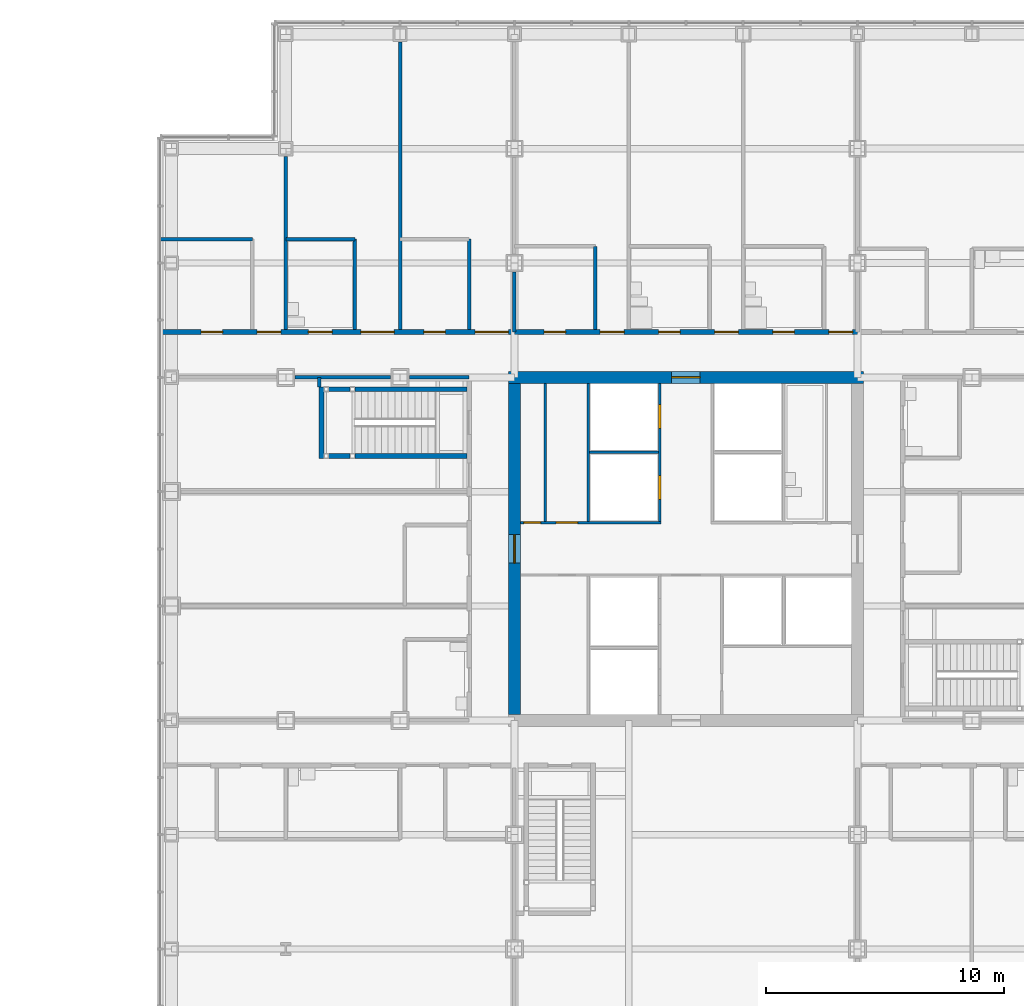
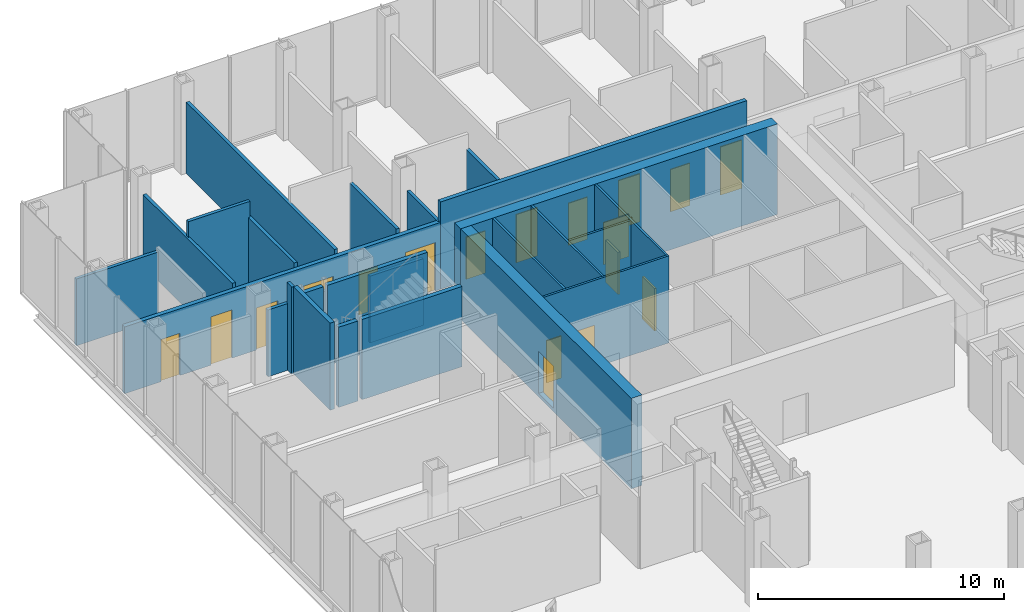
# One storey, part 21 of 25: 25 walls, 18 doors, 18 openings.
"""IFC4 building model written with IfcOpenShell, lengths in metres."""

from ifc_helpers import new_model, si_unit, direction, frame, frame_2d, origin, place, context, subcontext, project, spatial, rectangle, extrude, material, layer, layer_set, type_object, element, fill, save


model = new_model("IFC4")

# Units and contexts
model_context = context("Model", 3, precision=1e-05, world=origin(), true_north=direction((0.0, 1.0)))
body_context = subcontext(model_context, "Body", "Model", "MODEL_VIEW")
ifc_project = project(units=[si_unit("LENGTHUNIT", "METRE"), si_unit("AREAUNIT", "SQUARE_METRE"), si_unit("VOLUMEUNIT", "CUBIC_METRE"), si_unit("PLANEANGLEUNIT", "RADIAN"), si_unit("MASSUNIT", "GRAM", prefix="KILO")], contexts=[model_context])

# Site, building, storey
site_placement = place(None, origin())
site = spatial("IfcSite", under=ifc_project, at=site_placement, CompositionType="ELEMENT")
building_placement = place(site_placement, origin())
building = spatial("IfcBuilding", under=site, at=building_placement, Name="Kvirike Care Tower", CompositionType="ELEMENT")
storey_placement = place(building_placement, frame((0.0, 0.0, 9.0)))
storey = spatial("IfcBuildingStorey", under=building, at=storey_placement, Name="L02", CompositionType="ELEMENT", Elevation=9.0)

# Walls
ifc_material_1 = material(Name="Plasterboard partition", Category="gypsum")
ifc_layer_1 = layer(ifc_material_1, 0.14990234375)
ifc_layer_set_1 = layer_set([ifc_layer_1], Name="CLINIC PARTITION 150")
wall_type_1 = type_object("IfcWallType", Name="CLINIC PARTITION 150", PredefinedType="PARTITIONING", material=ifc_layer_set_1)
wall_1_placement = place(storey_placement, frame((6.199951171875, 43.199951171875, 0.0), z_axis=(0.0, 0.0, 1.0), x_axis=(0.0, -1.0, 0.0)))
element("IfcWall", 1, at=wall_1_placement, inside=storey, type_object=wall_type_1, Name="Clinic Partition 150 L02", PredefinedType="PARTITIONING", context=body_context, shape_type="SweptSolid", body=[
    extrude(rectangle(XDim=0.39990234375, YDim=0.14990234375, at=frame_2d((0.199951171875, 0.0))), origin(), (0.0, 0.0, 1.0), 4.330078125),
])
for number, where, z_axis, x_axis, name in (
    (2, (12.5, 49.0, 0.0), (0.0, 0.0, 1.0), (0.0, -1.0, 0.0), "Clinic Partition 150 L02"),
    (3, (7.699951171875, 49.0, 0.0), (0.0, 0.0, 1.0), (0.0, -1.0, 0.0), "Clinic Partition 150 L02"),
):
    element("IfcWall", number, at=place(storey_placement, frame(where, z_axis=z_axis, x_axis=x_axis)), inside=storey, type_object=wall_type_1, Name=name, PredefinedType="PARTITIONING", context=body_context, shape_type="SweptSolid", body=[
        extrude(rectangle(XDim=3.800048828125, YDim=0.14990234375, at=frame_2d((1.89990234375, 0.0))), origin(), (0.0, 0.0, 1.0), 3.550048828125),
    ])
wall_2_placement = place(storey_placement, frame((7.699951171875, 49.0, 0.0), z_axis=(0.0, 0.0, 1.0), x_axis=(-1.0, 0.0, 0.0)))
element("IfcWall", 4, at=wall_2_placement, inside=storey, type_object=wall_type_1, Name="Clinic Partition 150 L02", PredefinedType="PARTITIONING", context=body_context, shape_type="SweptSolid", body=[
    extrude(rectangle(XDim=2.89990234375, YDim=0.14990234375, at=frame_2d((1.449951171875, 0.0))), origin(), (0.0, 0.0, 1.0), 4.330078125),
])
wall_3_placement = place(storey_placement, frame((3.39990234375, 49.0, 0.0), z_axis=(0.0, 0.0, 1.0), x_axis=(-1.0, 0.0, 0.0)))
element("IfcWall", 5, at=wall_3_placement, inside=storey, type_object=wall_type_1, Name="Clinic Partition 150 L02", PredefinedType="PARTITIONING", context=body_context, shape_type="SweptSolid", body=[
    extrude(rectangle(XDim=3.85498046875, YDim=0.14990234375, at=frame_2d((1.927490234375, 0.0))), origin(), (0.0, 0.0, 1.0), 3.320068359375),
])
wall_4_placement = place(storey_placement, frame((9.60009765625, 57.280029296875, 0.0), z_axis=(0.0, 0.0, 1.0), x_axis=(0.0, -1.0, 0.0)))
element("IfcWall", 6, at=wall_4_placement, inside=storey, type_object=wall_type_1, Name="Clinic Partition 150 L02", PredefinedType="PARTITIONING", context=body_context, shape_type="SweptSolid", body=[
    extrude(rectangle(XDim=12.080078125, YDim=0.14990234375, at=frame_2d((6.0400390625, 0.0))), origin(), (0.0, 0.0, 1.0), 3.550048828125),
])
wall_5_placement = place(storey_placement, frame((4.800048828125, 52.47998046875, 0.0), z_axis=(0.0, 0.0, 1.0), x_axis=(0.0, -1.0, 0.0)))
element("IfcWall", 7, at=wall_5_placement, inside=storey, type_object=wall_type_1, Name="Clinic Partition 150 L02", PredefinedType="PARTITIONING", context=body_context, shape_type="SweptSolid", body=[
    extrude(rectangle(XDim=7.280029296875, YDim=0.14990234375, at=frame_2d((3.64013671875, 0.0))), origin(), (0.0, 0.0, 1.0), 3.550048828125),
])
wall_6_placement = place(storey_placement, frame((17.800048828125, 48.699951171875, 0.0), z_axis=(0.0, 0.0, 1.0), x_axis=(0.0, -1.0, 0.0)))
element("IfcWall", 8, at=wall_6_placement, inside=storey, type_object=wall_type_1, Name="Clinic Partition 150 L02", PredefinedType="PARTITIONING", context=body_context, shape_type="SweptSolid", body=[
    extrude(rectangle(XDim=3.5, YDim=0.14990234375, at=frame_2d((1.75, 0.0))), origin(), (0.0, 0.0, 1.0), 3.550048828125),
])
wall_7_placement = place(storey_placement, frame((12.5, 43.199951171875, 0.0), z_axis=(0.0, 0.0, 1.0), x_axis=(-1.0, 0.0, 0.0)))
element("IfcWall", 9, at=wall_7_placement, inside=storey, type_object=wall_type_1, Name="Clinic Partition 150 L02", PredefinedType="PARTITIONING", context=body_context, shape_type="SweptSolid", body=[
    extrude(rectangle(XDim=2.5048828125, YDim=0.14990234375, at=frame_2d((1.25244140625, 0.0))), origin(), (0.0, 0.0, 1.0), 3.320068359375),
])
wall_8_placement = place(storey_placement, frame((9.205078125, 43.199951171875, 0.0), z_axis=(0.0, 0.0, 1.0), x_axis=(-1.0, 0.0, 0.0)))
element("IfcWall", 10, at=wall_8_placement, inside=storey, type_object=wall_type_1, Name="Clinic Partition 150 L02", PredefinedType="PARTITIONING", context=body_context, shape_type="SweptSolid", body=[
    extrude(rectangle(XDim=4.010009765625, YDim=0.14990234375, at=frame_2d((2.0048828125, 0.0))), origin(), (0.0, 0.0, 1.0), 3.320068359375),
])
wall_9_placement = place(storey_placement, frame((14.39990234375, 45.10009765625, 0.0), z_axis=(0.0, 0.0, 1.0), x_axis=(0.0, 1.0, 0.0)))
element("IfcWall", 11, at=wall_9_placement, inside=storey, type_object=wall_type_1, Name="Clinic Partition 150 L02", PredefinedType="PARTITIONING", context=body_context, shape_type="SweptSolid", body=[
    extrude(rectangle(XDim=2.52978515625, YDim=0.14990234375, at=frame_2d((1.264892578125, 0.0))), origin(), (0.0, 0.0, 1.0), 3.320068359375),
])

# Wall, opening, door
ifc_material_2 = material(Name="Concrete C60/75", Category="concrete")
ifc_layer_2 = layer(ifc_material_2, 0.5)
ifc_layer_set_2 = layer_set([ifc_layer_2], Name="CORE WALL 500 C60-75")
wall_type_2 = type_object("IfcWallType", Name="CORE WALL 500 C60-75", PredefinedType="SHEAR", material=ifc_layer_set_2)
wall_10_placement = place(storey_placement, frame((29.050048828125, 43.199951171875, -0.169921875), z_axis=(0.0, 0.0, 1.0), x_axis=(-1.0, 0.0, 0.0)))
wall_10 = element("IfcWall", 12, at=wall_10_placement, inside=storey, type_object=wall_type_2, Name="Core wall N L02", PredefinedType="SHEAR", context=body_context, shape_type="SweptSolid", body=[
    extrude(rectangle(XDim=14.900146484375, YDim=0.5, at=frame_2d((7.4501953125, 0.0))), origin(), (0.0, 0.0, 1.0), 4.5),
])
opening_1_placement = place(wall_10_placement, frame((6.85009765625, 0.0, 0.169921875)))
opening_1 = element("IfcOpeningElement", 13, at=opening_1_placement, cuts=wall_10, Name="Opening 02-060", PredefinedType="OPENING", context=body_context, shape_type="SweptSolid", body=[
    extrude(rectangle(XDim=1.199951171875, YDim=2.10009765625, at=frame_2d((0.60009765625, 1.050048828125))), frame((0.0, 0.260498046875, 0.0), z_axis=(0.0, -1.0, 0.0), x_axis=(1.0, 0.0, 0.0)), (0.0, 0.0, 1.0), 0.52099609375),
])
ifc_material_3 = material(Name="Timber door set", Category="wood")
door_type_1 = type_object("IfcDoorType", Name="CORE DOOR 1200", OperationType="SINGLE_SWING_LEFT", PredefinedType="DOOR", material=ifc_material_3)
door_1_placement = place(opening_1_placement, origin())
door_1 = element("IfcDoor", 14, at=door_1_placement, inside=storey, type_object=door_type_1, Name="Core door N L02", OperationType="SINGLE_SWING_LEFT", OverallHeight=2.10009765625, OverallWidth=1.199951171875, PredefinedType="DOOR", context=body_context, shape_type="SweptSolid", body=[
    extrude(rectangle(XDim=1.199951171875, YDim=2.10009765625, at=frame_2d((0.60009765625, 1.050048828125))), frame((0.0, 0.02685546875, 0.0), z_axis=(0.0, -1.0, 0.0), x_axis=(1.0, 0.0, 0.0)), (0.0, 0.0, 1.0), 0.053955078125),
])
fill(opening_1, door_1)

wall_11_placement = place(storey_placement, frame((14.39990234375, 42.949951171875, -0.169921875), z_axis=(0.0, 0.0, 1.0), x_axis=(0.0, -1.0, 0.0)))
wall_11 = element("IfcWall", 15, at=wall_11_placement, inside=storey, type_object=wall_type_2, Name="Core wall W L02", PredefinedType="SHEAR", context=body_context, shape_type="SweptSolid", body=[
    extrude(rectangle(XDim=13.89990234375, YDim=0.5, at=frame_2d((6.949951171875, 0.0))), origin(), (0.0, 0.0, 1.0), 4.5),
])
opening_2_placement = place(wall_11_placement, frame((6.35009765625, 0.0, 0.169921875)))
opening_2 = element("IfcOpeningElement", 16, at=opening_2_placement, cuts=wall_11, Name="Opening 02-058", PredefinedType="OPENING", context=body_context, shape_type="SweptSolid", body=[
    extrude(rectangle(XDim=1.199951171875, YDim=2.10009765625, at=frame_2d((0.60009765625, 1.050048828125))), frame((0.0, 0.260498046875, 0.0), z_axis=(0.0, -1.0, 0.0), x_axis=(1.0, 0.0, 0.0)), (0.0, 0.0, 1.0), 0.52099609375),
])
door_2_placement = place(opening_2_placement, origin())
door_2 = element("IfcDoor", 17, at=door_2_placement, inside=storey, type_object=door_type_1, Name="Core door W L02", OperationType="SINGLE_SWING_LEFT", OverallHeight=2.10009765625, OverallWidth=1.199951171875, PredefinedType="DOOR", context=body_context, shape_type="SweptSolid", body=[
    extrude(rectangle(XDim=1.199951171875, YDim=2.10009765625, at=frame_2d((0.60009765625, 1.050048828125))), frame((0.0, 0.02685546875, 0.0), z_axis=(0.0, -1.0, 0.0), x_axis=(1.0, 0.0, 0.0)), (0.0, 0.0, 1.0), 0.053955078125),
])
fill(opening_2, door_2)

# Wall, openings, doors
ifc_material_4 = material(Name="Plasterboard corridor wall", Category="gypsum")
ifc_layer_3 = layer(ifc_material_4, 0.199951171875)
ifc_layer_set_3 = layer_set([ifc_layer_3], Name="CORRIDOR WALL 200")
wall_type_3 = type_object("IfcWallType", Name="CORRIDOR WALL 200", PredefinedType="PARTITIONING", material=ifc_layer_set_3)
wall_12_placement = place(storey_placement, frame((14.39990234375, 45.10009765625, 0.0), z_axis=(0.0, 0.0, 1.0), x_axis=(-1.0, 0.0, 0.0)))
wall_12 = element("IfcWall", 18, at=wall_12_placement, inside=storey, type_object=wall_type_3, Name="Corridor Wall 200 L02", PredefinedType="PARTITIONING", context=body_context, shape_type="SweptSolid", body=[
    extrude(rectangle(XDim=14.85498046875, YDim=0.199951171875, at=frame_2d((7.427490234375, 0.0))), origin(), (0.0, 0.0, 1.0), 3.320068359375),
])
opening_3_placement = place(wall_12_placement, frame((0.25, 0.0, 0.0)))
opening_3 = element("IfcOpeningElement", 19, at=opening_3_placement, cuts=wall_12, Name="Opening 02-012", PredefinedType="OPENING", context=body_context, shape_type="SweptSolid", body=[
    extrude(rectangle(XDim=1.39990234375, YDim=2.39990234375, at=frame_2d((0.699951171875, 1.199951171875))), frame((0.0, 0.110595703125, 0.0), z_axis=(0.0, -1.0, 0.0), x_axis=(1.0, 0.0, 0.0)), (0.0, 0.0, 1.0), 0.220947265625),
])
opening_4_placement = place(wall_12_placement, frame((5.050048828125, 0.0, 0.0)))
opening_4 = element("IfcOpeningElement", 20, at=opening_4_placement, cuts=wall_12, Name="Opening 02-013", PredefinedType="OPENING", context=body_context, shape_type="SweptSolid", body=[
    extrude(rectangle(XDim=1.39990234375, YDim=2.39990234375, at=frame_2d((0.699951171875, 1.199951171875))), frame((0.0, 0.110595703125, 0.0), z_axis=(0.0, -1.0, 0.0), x_axis=(1.0, 0.0, 0.0)), (0.0, 0.0, 1.0), 0.220947265625),
])
opening_5_placement = place(wall_12_placement, frame((9.800048828125, 0.0, 0.0)))
opening_5 = element("IfcOpeningElement", 21, at=opening_5_placement, cuts=wall_12, Name="Opening 02-014", PredefinedType="OPENING", context=body_context, shape_type="SweptSolid", body=[
    extrude(rectangle(XDim=1.0, YDim=2.39990234375, at=frame_2d((0.5, 1.199951171875))), frame((0.0, 0.110595703125, 0.0), z_axis=(0.0, -1.0, 0.0), x_axis=(1.0, 0.0, 0.0)), (0.0, 0.0, 1.0), 0.220947265625),
])
opening_6_placement = place(wall_12_placement, frame((2.89990234375, 0.0, 0.0)))
opening_6 = element("IfcOpeningElement", 22, at=opening_6_placement, cuts=wall_12, Name="Opening 02-015", PredefinedType="OPENING", context=body_context, shape_type="SweptSolid", body=[
    extrude(rectangle(XDim=0.89990234375, YDim=2.10009765625, at=frame_2d((0.449951171875, 1.050048828125))), frame((0.0, 0.110595703125, 0.0), z_axis=(0.0, -1.0, 0.0), x_axis=(1.0, 0.0, 0.0)), (0.0, 0.0, 1.0), 0.220947265625),
])
opening_7_placement = place(wall_12_placement, frame((7.64990234375, 0.0, 0.0)))
opening_7 = element("IfcOpeningElement", 23, at=opening_7_placement, cuts=wall_12, Name="Opening 02-016", PredefinedType="OPENING", context=body_context, shape_type="SweptSolid", body=[
    extrude(rectangle(XDim=1.0, YDim=2.10009765625, at=frame_2d((0.5, 1.050048828125))), frame((0.0, 0.110595703125, 0.0), z_axis=(0.0, -1.0, 0.0), x_axis=(1.0, 0.0, 0.0)), (0.0, 0.0, 1.0), 0.220947265625),
])
opening_8_placement = place(wall_12_placement, frame((12.25, 0.0, 0.0)))
opening_8 = element("IfcOpeningElement", 24, at=opening_8_placement, cuts=wall_12, Name="Opening 02-017", PredefinedType="OPENING", context=body_context, shape_type="SweptSolid", body=[
    extrude(rectangle(XDim=0.89990234375, YDim=2.10009765625, at=frame_2d((0.449951171875, 1.050048828125))), frame((0.0, 0.110595703125, 0.0), z_axis=(0.0, -1.0, 0.0), x_axis=(1.0, 0.0, 0.0)), (0.0, 0.0, 1.0), 0.220947265625),
])
ifc_material_5 = material(Name="Timber door set", Category="wood")
door_type_2 = type_object("IfcDoorType", Name="CONSULTING ROOM DOOR 1000", OperationType="SINGLE_SWING_LEFT", PredefinedType="DOOR", material=ifc_material_5)
door_3_placement = place(opening_5_placement, frame((1.0, 0.0, 0.0), z_axis=(0.0, 0.0, 1.0), x_axis=(-1.0, 0.0, 0.0)))
door_3 = element("IfcDoor", 25, at=door_3_placement, inside=storey, type_object=door_type_2, Name="Massage room door", OperationType="SINGLE_SWING_RIGHT", OverallHeight=2.39990234375, OverallWidth=1.0, PredefinedType="DOOR", context=body_context, shape_type="SweptSolid", body=[
    extrude(rectangle(XDim=1.0, YDim=2.39990234375, at=frame_2d((0.5, 1.199951171875))), frame((0.0, 0.02685546875, 0.0), z_axis=(0.0, -1.0, 0.0), x_axis=(1.0, 0.0, 0.0)), (0.0, 0.0, 1.0), 0.053955078125),
])
fill(opening_5, door_3)
ifc_material_6 = material(Name="Timber door set", Category="wood")
door_type_3 = type_object("IfcDoorType", Name="STORE DOOR 900", OperationType="SINGLE_SWING_LEFT", PredefinedType="DOOR", material=ifc_material_6)
door_4_placement = place(opening_6_placement, frame((0.89990234375, 0.0, 0.0), z_axis=(0.0, 0.0, 1.0), x_axis=(-1.0, 0.0, 0.0)))
door_4 = element("IfcDoor", 26, at=door_4_placement, inside=storey, type_object=door_type_3, Name="Store door", OperationType="SINGLE_SWING_RIGHT", OverallHeight=2.10009765625, OverallWidth=0.89990234375, PredefinedType="DOOR", context=body_context, shape_type="SweptSolid", body=[
    extrude(rectangle(XDim=0.89990234375, YDim=2.10009765625, at=frame_2d((0.449951171875, 1.050048828125))), frame((0.0, 0.02685546875, 0.0), z_axis=(0.0, -1.0, 0.0), x_axis=(1.0, 0.0, 0.0)), (0.0, 0.0, 1.0), 0.053955078125),
])
fill(opening_6, door_4)
door_5_placement = place(opening_8_placement, frame((0.89990234375, 0.0, 0.0), z_axis=(0.0, 0.0, 1.0), x_axis=(-1.0, 0.0, 0.0)))
door_5 = element("IfcDoor", 27, at=door_5_placement, inside=storey, type_object=door_type_3, Name="Store door", OperationType="SINGLE_SWING_LEFT", OverallHeight=2.10009765625, OverallWidth=0.89990234375, PredefinedType="DOOR", context=body_context, shape_type="SweptSolid", body=[
    extrude(rectangle(XDim=0.89990234375, YDim=2.10009765625, at=frame_2d((0.449951171875, 1.050048828125))), frame((0.0, 0.02685546875, 0.0), z_axis=(0.0, -1.0, 0.0), x_axis=(1.0, 0.0, 0.0)), (0.0, 0.0, 1.0), 0.053955078125),
])
fill(opening_8, door_5)
ifc_material_7 = material(Name="Timber door set", Category="wood")
door_type_4 = type_object("IfcDoorType", Name="TREATMENT ROOM DOOR 1400", OperationType="DOUBLE_DOOR_SINGLE_SWING", PredefinedType="DOOR", material=ifc_material_7)
door_6_placement = place(opening_3_placement, frame((1.39990234375, 0.0, 0.0), z_axis=(0.0, 0.0, 1.0), x_axis=(-1.0, 0.0, 0.0)))
door_6 = element("IfcDoor", 28, at=door_6_placement, inside=storey, type_object=door_type_4, Name="Treatment room door", OperationType="DOUBLE_DOOR_SINGLE_SWING", OverallHeight=2.39990234375, OverallWidth=1.39990234375, PredefinedType="DOOR", context=body_context, shape_type="SweptSolid", body=[
    extrude(rectangle(XDim=1.39990234375, YDim=2.39990234375, at=frame_2d((0.699951171875, 1.199951171875))), frame((0.0, 0.02685546875, 0.0), z_axis=(0.0, -1.0, 0.0), x_axis=(1.0, 0.0, 0.0)), (0.0, 0.0, 1.0), 0.053955078125),
])
fill(opening_3, door_6)
door_7_placement = place(opening_4_placement, frame((1.39990234375, 0.0, 0.0), z_axis=(0.0, 0.0, 1.0), x_axis=(-1.0, 0.0, 0.0)))
door_7 = element("IfcDoor", 29, at=door_7_placement, inside=storey, type_object=door_type_4, Name="Treatment room door", OperationType="DOUBLE_DOOR_SINGLE_SWING", OverallHeight=2.39990234375, OverallWidth=1.39990234375, PredefinedType="DOOR", context=body_context, shape_type="SweptSolid", body=[
    extrude(rectangle(XDim=1.39990234375, YDim=2.39990234375, at=frame_2d((0.699951171875, 1.199951171875))), frame((0.0, 0.02685546875, 0.0), z_axis=(0.0, -1.0, 0.0), x_axis=(1.0, 0.0, 0.0)), (0.0, 0.0, 1.0), 0.053955078125),
])
fill(opening_4, door_7)
ifc_material_8 = material(Name="Timber door set", Category="wood")
door_type_5 = type_object("IfcDoorType", Name="WC DOOR 1000", OperationType="SINGLE_SWING_LEFT", PredefinedType="DOOR", material=ifc_material_8)
door_8_placement = place(opening_7_placement, frame((1.0, 0.0, 0.0), z_axis=(0.0, 0.0, 1.0), x_axis=(-1.0, 0.0, 0.0)))
door_8 = element("IfcDoor", 30, at=door_8_placement, inside=storey, type_object=door_type_5, Name="Staff WC door", OperationType="SINGLE_SWING_LEFT", OverallHeight=2.10009765625, OverallWidth=1.0, PredefinedType="DOOR", context=body_context, shape_type="SweptSolid", body=[
    extrude(rectangle(XDim=1.0, YDim=2.10009765625, at=frame_2d((0.5, 1.050048828125))), frame((0.0, 0.02685546875, 0.0), z_axis=(0.0, -1.0, 0.0), x_axis=(1.0, 0.0, 0.0)), (0.0, 0.0, 1.0), 0.053955078125),
])
fill(opening_7, door_8)

wall_13_placement = place(storey_placement, frame((28.800048828125, 45.10009765625, 0.0), z_axis=(0.0, 0.0, 1.0), x_axis=(-1.0, 0.0, 0.0)))
wall_13 = element("IfcWall", 31, at=wall_13_placement, inside=storey, type_object=wall_type_3, Name="Corridor Wall 200 L02", PredefinedType="PARTITIONING", context=body_context, shape_type="SweptSolid", body=[
    extrude(rectangle(XDim=14.400146484375, YDim=0.199951171875, at=frame_2d((7.2001953125, 0.0))), origin(), (0.0, 0.0, 1.0), 4.330078125),
])
opening_9_placement = place(wall_13_placement, frame((0.199951171875, 0.0, 0.0)))
opening_9 = element("IfcOpeningElement", 32, at=opening_9_placement, cuts=wall_13, Name="Opening 02-019", PredefinedType="OPENING", context=body_context, shape_type="SweptSolid", body=[
    extrude(rectangle(XDim=1.0, YDim=2.39990234375, at=frame_2d((0.5, 1.199951171875))), frame((0.0, 0.110595703125, 0.0), z_axis=(0.0, -1.0, 0.0), x_axis=(1.0, 0.0, 0.0)), (0.0, 0.0, 1.0), 0.220947265625),
])
opening_10_placement = place(wall_13_placement, frame((5.0, 0.0, 0.0)))
opening_10 = element("IfcOpeningElement", 33, at=opening_10_placement, cuts=wall_13, Name="Opening 02-020", PredefinedType="OPENING", context=body_context, shape_type="SweptSolid", body=[
    extrude(rectangle(XDim=1.0, YDim=2.39990234375, at=frame_2d((0.5, 1.199951171875))), frame((0.0, 0.110595703125, 0.0), z_axis=(0.0, -1.0, 0.0), x_axis=(1.0, 0.0, 0.0)), (0.0, 0.0, 1.0), 0.220947265625),
])
opening_11_placement = place(wall_13_placement, frame((9.800048828125, 0.0, 0.0)))
opening_11 = element("IfcOpeningElement", 34, at=opening_11_placement, cuts=wall_13, Name="Opening 02-021", PredefinedType="OPENING", context=body_context, shape_type="SweptSolid", body=[
    extrude(rectangle(XDim=1.0, YDim=2.39990234375, at=frame_2d((0.5, 1.199951171875))), frame((0.0, 0.110595703125, 0.0), z_axis=(0.0, -1.0, 0.0), x_axis=(1.0, 0.0, 0.0)), (0.0, 0.0, 1.0), 0.220947265625),
])
opening_12_placement = place(wall_13_placement, frame((2.64990234375, 0.0, 0.0)))
opening_12 = element("IfcOpeningElement", 35, at=opening_12_placement, cuts=wall_13, Name="Opening 02-022", PredefinedType="OPENING", context=body_context, shape_type="SweptSolid", body=[
    extrude(rectangle(XDim=0.89990234375, YDim=2.10009765625, at=frame_2d((0.449951171875, 1.050048828125))), frame((0.0, 0.110595703125, 0.0), z_axis=(0.0, -1.0, 0.0), x_axis=(1.0, 0.0, 0.0)), (0.0, 0.0, 1.0), 0.220947265625),
])
opening_13_placement = place(wall_13_placement, frame((7.449951171875, 0.0, 0.0)))
opening_13 = element("IfcOpeningElement", 36, at=opening_13_placement, cuts=wall_13, Name="Opening 02-023", PredefinedType="OPENING", context=body_context, shape_type="SweptSolid", body=[
    extrude(rectangle(XDim=0.89990234375, YDim=2.10009765625, at=frame_2d((0.449951171875, 1.050048828125))), frame((0.0, 0.110595703125, 0.0), z_axis=(0.0, -1.0, 0.0), x_axis=(1.0, 0.0, 0.0)), (0.0, 0.0, 1.0), 0.220947265625),
])
opening_14_placement = place(wall_13_placement, frame((12.25, 0.0, 0.0)))
opening_14 = element("IfcOpeningElement", 37, at=opening_14_placement, cuts=wall_13, Name="Opening 02-024", PredefinedType="OPENING", context=body_context, shape_type="SweptSolid", body=[
    extrude(rectangle(XDim=0.89990234375, YDim=2.10009765625, at=frame_2d((0.449951171875, 1.050048828125))), frame((0.0, 0.110595703125, 0.0), z_axis=(0.0, -1.0, 0.0), x_axis=(1.0, 0.0, 0.0)), (0.0, 0.0, 1.0), 0.220947265625),
])
door_9_placement = place(opening_9_placement, frame((1.0, 0.0, 0.0), z_axis=(0.0, 0.0, 1.0), x_axis=(-1.0, 0.0, 0.0)))
door_9 = element("IfcDoor", 38, at=door_9_placement, inside=storey, type_object=door_type_2, Name="Changing room door", OperationType="SINGLE_SWING_LEFT", OverallHeight=2.39990234375, OverallWidth=1.0, PredefinedType="DOOR", context=body_context, shape_type="SweptSolid", body=[
    extrude(rectangle(XDim=1.0, YDim=2.39990234375, at=frame_2d((0.5, 1.199951171875))), frame((0.0, 0.02685546875, 0.0), z_axis=(0.0, -1.0, 0.0), x_axis=(1.0, 0.0, 0.0)), (0.0, 0.0, 1.0), 0.053955078125),
])
fill(opening_9, door_9)
door_10_placement = place(opening_10_placement, frame((1.0, 0.0, 0.0), z_axis=(0.0, 0.0, 1.0), x_axis=(-1.0, 0.0, 0.0)))
door_10 = element("IfcDoor", 39, at=door_10_placement, inside=storey, type_object=door_type_2, Name="Changing room door", OperationType="SINGLE_SWING_LEFT", OverallHeight=2.39990234375, OverallWidth=1.0, PredefinedType="DOOR", context=body_context, shape_type="SweptSolid", body=[
    extrude(rectangle(XDim=1.0, YDim=2.39990234375, at=frame_2d((0.5, 1.199951171875))), frame((0.0, 0.02685546875, 0.0), z_axis=(0.0, -1.0, 0.0), x_axis=(1.0, 0.0, 0.0)), (0.0, 0.0, 1.0), 0.053955078125),
])
fill(opening_10, door_10)
door_11_placement = place(opening_11_placement, frame((1.0, 0.0, 0.0), z_axis=(0.0, 0.0, 1.0), x_axis=(-1.0, 0.0, 0.0)))
door_11 = element("IfcDoor", 40, at=door_11_placement, inside=storey, type_object=door_type_2, Name="Pool plant room door", OperationType="SINGLE_SWING_LEFT", OverallHeight=2.39990234375, OverallWidth=1.0, PredefinedType="DOOR", context=body_context, shape_type="SweptSolid", body=[
    extrude(rectangle(XDim=1.0, YDim=2.39990234375, at=frame_2d((0.5, 1.199951171875))), frame((0.0, 0.02685546875, 0.0), z_axis=(0.0, -1.0, 0.0), x_axis=(1.0, 0.0, 0.0)), (0.0, 0.0, 1.0), 0.053955078125),
])
fill(opening_11, door_11)
door_12_placement = place(opening_12_placement, frame((0.89990234375, 0.0, 0.0), z_axis=(0.0, 0.0, 1.0), x_axis=(-1.0, 0.0, 0.0)))
door_12 = element("IfcDoor", 41, at=door_12_placement, inside=storey, type_object=door_type_3, Name="Shower room door", OperationType="SINGLE_SWING_LEFT", OverallHeight=2.10009765625, OverallWidth=0.89990234375, PredefinedType="DOOR", context=body_context, shape_type="SweptSolid", body=[
    extrude(rectangle(XDim=0.89990234375, YDim=2.10009765625, at=frame_2d((0.449951171875, 1.050048828125))), frame((0.0, 0.02685546875, 0.0), z_axis=(0.0, -1.0, 0.0), x_axis=(1.0, 0.0, 0.0)), (0.0, 0.0, 1.0), 0.053955078125),
])
fill(opening_12, door_12)
door_13_placement = place(opening_13_placement, frame((0.89990234375, 0.0, 0.0), z_axis=(0.0, 0.0, 1.0), x_axis=(-1.0, 0.0, 0.0)))
door_13 = element("IfcDoor", 42, at=door_13_placement, inside=storey, type_object=door_type_3, Name="Shower room door", OperationType="SINGLE_SWING_RIGHT", OverallHeight=2.10009765625, OverallWidth=0.89990234375, PredefinedType="DOOR", context=body_context, shape_type="SweptSolid", body=[
    extrude(rectangle(XDim=0.89990234375, YDim=2.10009765625, at=frame_2d((0.449951171875, 1.050048828125))), frame((0.0, 0.02685546875, 0.0), z_axis=(0.0, -1.0, 0.0), x_axis=(1.0, 0.0, 0.0)), (0.0, 0.0, 1.0), 0.053955078125),
])
fill(opening_13, door_13)
door_14_placement = place(opening_14_placement, frame((0.89990234375, 0.0, 0.0), z_axis=(0.0, 0.0, 1.0), x_axis=(-1.0, 0.0, 0.0)))
door_14 = element("IfcDoor", 43, at=door_14_placement, inside=storey, type_object=door_type_3, Name="Store door", OperationType="SINGLE_SWING_RIGHT", OverallHeight=2.10009765625, OverallWidth=0.89990234375, PredefinedType="DOOR", context=body_context, shape_type="SweptSolid", body=[
    extrude(rectangle(XDim=0.89990234375, YDim=2.10009765625, at=frame_2d((0.449951171875, 1.050048828125))), frame((0.0, 0.02685546875, 0.0), z_axis=(0.0, -1.0, 0.0), x_axis=(1.0, 0.0, 0.0)), (0.0, 0.0, 1.0), 0.053955078125),
])
fill(opening_14, door_14)

# Wall
ifc_material_9 = material(Name="Gypsum shaft wall system", Category="gypsum")
ifc_layer_4 = layer(ifc_material_9, 0.10009765625)
ifc_layer_set_4 = layer_set([ifc_layer_4], Name="SHAFT WALL 100")
wall_type_4 = type_object("IfcWallType", Name="SHAFT WALL 100", PredefinedType="SOLIDWALL", material=ifc_layer_set_4)
wall_14_placement = place(storey_placement, frame((15.699951171875, 37.14990234375, 0.0), z_axis=(0.0, 0.0, 1.0), x_axis=(0.0, 1.0, 0.0)))
element("IfcWall", 44, at=wall_14_placement, inside=storey, type_object=wall_type_4, Name="Shaft Wall 100 L02", PredefinedType="SOLIDWALL", context=body_context, shape_type="SweptSolid", body=[
    extrude(rectangle(XDim=5.800048828125, YDim=0.10009765625, at=frame_2d((2.89990234375, 0.0))), origin(), (0.0, 0.0, 1.0), 4.330078125),
])

# Wall, openings, doors
wall_15_placement = place(storey_placement, frame((20.5, 37.14990234375, 0.0), z_axis=(0.0, 0.0, 1.0), x_axis=(0.0, 1.0, 0.0)))
wall_15 = element("IfcWall", 45, at=wall_15_placement, inside=storey, type_object=wall_type_4, Name="Shaft Wall 100 L02", PredefinedType="SOLIDWALL", context=body_context, shape_type="SweptSolid", body=[
    extrude(rectangle(XDim=5.800048828125, YDim=0.10009765625, at=frame_2d((2.89990234375, 0.0))), origin(), (0.0, 0.0, 1.0), 4.330078125),
])
opening_15_placement = place(wall_15_placement, frame((0.925048828125, 0.0, 0.0)))
opening_15 = element("IfcOpeningElement", 46, at=opening_15_placement, cuts=wall_15, Name="Opening 02-048", PredefinedType="OPENING", context=body_context, shape_type="SweptSolid", body=[
    extrude(rectangle(XDim=1.0, YDim=2.10009765625, at=frame_2d((0.5, 1.050048828125))), frame((0.0, 0.060546875, 0.0), z_axis=(0.0, -1.0, 0.0), x_axis=(1.0, 0.0, 0.0)), (0.0, 0.0, 1.0), 0.12109375),
])
opening_16_placement = place(wall_15_placement, frame((3.89990234375, 0.0, 0.0)))
opening_16 = element("IfcOpeningElement", 47, at=opening_16_placement, cuts=wall_15, Name="Opening 02-049", PredefinedType="OPENING", context=body_context, shape_type="SweptSolid", body=[
    extrude(rectangle(XDim=1.0, YDim=2.10009765625, at=frame_2d((0.5, 1.050048828125))), frame((0.0, 0.060546875, 0.0), z_axis=(0.0, -1.0, 0.0), x_axis=(1.0, 0.0, 0.0)), (0.0, 0.0, 1.0), 0.12109375),
])
ifc_material_10 = material(Name="Aluminium door frame", Category="aluminium")
door_type_6 = type_object("IfcDoorType", Name="LIFT LANDING DOOR 1000", OperationType="SLIDING_TO_LEFT", PredefinedType="DOOR", material=ifc_material_10)
door_15_placement = place(opening_15_placement, origin())
door_15 = element("IfcDoor", 48, at=door_15_placement, inside=storey, type_object=door_type_6, Name="Lift P1 landing door", OperationType="SLIDING_TO_LEFT", OverallHeight=2.10009765625, OverallWidth=1.0, PredefinedType="DOOR", context=body_context, shape_type="SweptSolid", body=[
    extrude(rectangle(XDim=1.0, YDim=2.10009765625, at=frame_2d((0.5, 1.050048828125))), frame((0.0, 0.0498046875, 0.0), z_axis=(0.0, -1.0, 0.0), x_axis=(1.0, 0.0, 0.0)), (0.0, 0.0, 1.0), 0.099609375),
])
fill(opening_15, door_15)
door_16_placement = place(opening_16_placement, origin())
door_16 = element("IfcDoor", 49, at=door_16_placement, inside=storey, type_object=door_type_6, Name="Lift P2 landing door", OperationType="SLIDING_TO_LEFT", OverallHeight=2.10009765625, OverallWidth=1.0, PredefinedType="DOOR", context=body_context, shape_type="SweptSolid", body=[
    extrude(rectangle(XDim=1.0, YDim=2.10009765625, at=frame_2d((0.5, 1.050048828125))), frame((0.0, 0.0498046875, 0.0), z_axis=(0.0, -1.0, 0.0), x_axis=(1.0, 0.0, 0.0)), (0.0, 0.0, 1.0), 0.099609375),
])
fill(opening_16, door_16)

wall_16_placement = place(storey_placement, frame((14.64990234375, 37.10009765625, 0.0), z_axis=(0.0, 0.0, 1.0), x_axis=(1.0, 0.0, 0.0)))
wall_16 = element("IfcWall", 50, at=wall_16_placement, inside=storey, type_object=wall_type_4, Name="Shaft Wall 100 L02", PredefinedType="SOLIDWALL", context=body_context, shape_type="SweptSolid", body=[
    extrude(rectangle(XDim=5.900146484375, YDim=0.10009765625, at=frame_2d((2.9501953125, 0.0))), origin(), (0.0, 0.0, 1.0), 4.330078125),
])
opening_17_placement = place(wall_16_placement, frame((0.14990234375, 0.0, 0.0)))
opening_17 = element("IfcOpeningElement", 51, at=opening_17_placement, cuts=wall_16, Name="Opening 02-052", PredefinedType="OPENING", context=body_context, shape_type="SweptSolid", body=[
    extrude(rectangle(XDim=0.699951171875, YDim=2.10009765625, at=frame_2d((0.35009765625, 1.050048828125))), frame((0.0, 0.060546875, 0.0), z_axis=(0.0, -1.0, 0.0), x_axis=(1.0, 0.0, 0.0)), (0.0, 0.0, 1.0), 0.12109375),
])
opening_18_placement = place(wall_16_placement, frame((1.5, 0.0, 0.0)))
opening_18 = element("IfcOpeningElement", 52, at=opening_18_placement, cuts=wall_16, Name="Opening 02-053", PredefinedType="OPENING", context=body_context, shape_type="SweptSolid", body=[
    extrude(rectangle(XDim=0.89990234375, YDim=2.10009765625, at=frame_2d((0.449951171875, 1.050048828125))), frame((0.0, 0.060546875, 0.0), z_axis=(0.0, -1.0, 0.0), x_axis=(1.0, 0.0, 0.0)), (0.0, 0.0, 1.0), 0.12109375),
])
ifc_material_11 = material(Name="Timber door set", Category="wood")
door_type_7 = type_object("IfcDoorType", Name="RISER DOOR 700", OperationType="SINGLE_SWING_LEFT", PredefinedType="DOOR", material=ifc_material_11)
door_17_placement = place(opening_17_placement, origin())
door_17 = element("IfcDoor", 53, at=door_17_placement, inside=storey, type_object=door_type_7, Name="Riser door", OperationType="SINGLE_SWING_LEFT", OverallHeight=2.10009765625, OverallWidth=0.699951171875, PredefinedType="DOOR", context=body_context, shape_type="SweptSolid", body=[
    extrude(rectangle(XDim=0.699951171875, YDim=2.10009765625, at=frame_2d((0.35009765625, 1.050048828125))), frame((0.0, 0.02685546875, 0.0), z_axis=(0.0, -1.0, 0.0), x_axis=(1.0, 0.0, 0.0)), (0.0, 0.0, 1.0), 0.053955078125),
])
fill(opening_17, door_17)
door_18_placement = place(opening_18_placement, origin())
door_18 = element("IfcDoor", 54, at=door_18_placement, inside=storey, type_object=door_type_3, Name="Housekeeping store door", OperationType="SINGLE_SWING_LEFT", OverallHeight=2.10009765625, OverallWidth=0.89990234375, PredefinedType="DOOR", context=body_context, shape_type="SweptSolid", body=[
    extrude(rectangle(XDim=0.89990234375, YDim=2.10009765625, at=frame_2d((0.449951171875, 1.050048828125))), frame((0.0, 0.02685546875, 0.0), z_axis=(0.0, -1.0, 0.0), x_axis=(1.0, 0.0, 0.0)), (0.0, 0.0, 1.0), 0.053955078125),
])
fill(opening_18, door_18)

# Walls
wall_17_placement = place(storey_placement, frame((17.5, 37.14990234375, 0.0), z_axis=(0.0, 0.0, 1.0), x_axis=(0.0, 1.0, 0.0)))
element("IfcWall", 55, at=wall_17_placement, inside=storey, type_object=wall_type_4, Name="Shaft Wall 100 L02", PredefinedType="SOLIDWALL", context=body_context, shape_type="SweptSolid", body=[
    extrude(rectangle(XDim=5.800048828125, YDim=0.10009765625, at=frame_2d((2.89990234375, 0.0))), origin(), (0.0, 0.0, 1.0), 4.330078125),
])
wall_18_placement = place(storey_placement, frame((17.550048828125, 40.050048828125, 0.0), z_axis=(0.0, 0.0, 1.0), x_axis=(1.0, 0.0, 0.0)))
element("IfcWall", 56, at=wall_18_placement, inside=storey, type_object=wall_type_4, Name="Shaft Wall 100 L02", PredefinedType="SOLIDWALL", context=body_context, shape_type="SweptSolid", body=[
    extrude(rectangle(XDim=2.89990234375, YDim=0.10009765625, at=frame_2d((1.449951171875, 0.0))), origin(), (0.0, 0.0, 1.0), 4.330078125),
])
ifc_material_12 = material(Name="Concrete C40/50", Category="concrete")
ifc_layer_5 = layer(ifc_material_12, 0.199951171875)
ifc_layer_set_5 = layer_set([ifc_layer_5], Name="STAIR WALL 200")
wall_type_5 = type_object("IfcWallType", Name="STAIR WALL 200", PredefinedType="SOLIDWALL", material=ifc_layer_set_5)
wall_19_placement = place(storey_placement, frame((6.60009765625, 42.699951171875, 0.0), z_axis=(0.0, 0.0, 1.0), x_axis=(1.0, 0.0, 0.0)))
element("IfcWall", 57, at=wall_19_placement, inside=storey, type_object=wall_type_5, Name="Stair Wall 200 L02", PredefinedType="SOLIDWALL", context=body_context, shape_type="SweptSolid", body=[
    extrude(rectangle(XDim=0.89990234375, YDim=0.199951171875, at=frame_2d((0.449951171875, 0.0))), origin(), (0.0, 0.0, 1.0), 3.989990234375),
])
wall_20_placement = place(storey_placement, frame((7.699951171875, 42.699951171875, 0.0), z_axis=(0.0, 0.0, 1.0), x_axis=(1.0, 0.0, 0.0)))
element("IfcWall", 58, at=wall_20_placement, inside=storey, type_object=wall_type_5, Name="Stair Wall 200 L02", PredefinedType="SOLIDWALL", context=body_context, shape_type="SweptSolid", body=[
    extrude(rectangle(XDim=4.699951171875, YDim=0.199951171875, at=frame_2d((2.35009765625, 0.0))), origin(), (0.0, 0.0, 1.0), 3.989990234375),
])
wall_21_placement = place(storey_placement, frame((6.60009765625, 39.89990234375, 0.0), z_axis=(0.0, 0.0, 1.0), x_axis=(1.0, 0.0, 0.0)))
element("IfcWall", 59, at=wall_21_placement, inside=storey, type_object=wall_type_5, Name="Stair Wall 200 L02", PredefinedType="SOLIDWALL", context=body_context, shape_type="SweptSolid", body=[
    extrude(rectangle(XDim=0.89990234375, YDim=0.199951171875, at=frame_2d((0.449951171875, 0.0))), origin(), (0.0, 0.0, 1.0), 3.989990234375),
])
wall_22_placement = place(storey_placement, frame((7.699951171875, 39.89990234375, 0.0), z_axis=(0.0, 0.0, 1.0), x_axis=(1.0, 0.0, 0.0)))
element("IfcWall", 60, at=wall_22_placement, inside=storey, type_object=wall_type_5, Name="Stair Wall 200 L02", PredefinedType="SOLIDWALL", context=body_context, shape_type="SweptSolid", body=[
    extrude(rectangle(XDim=4.699951171875, YDim=0.199951171875, at=frame_2d((2.35009765625, 0.0))), origin(), (0.0, 0.0, 1.0), 3.989990234375),
])
wall_23_placement = place(storey_placement, frame((6.300048828125, 42.800048828125, 0.0), z_axis=(0.0, 0.0, 1.0), x_axis=(0.0, -1.0, 0.0)))
element("IfcWall", 61, at=wall_23_placement, inside=storey, type_object=wall_type_5, Name="Stair Wall 200 L02", PredefinedType="SOLIDWALL", context=body_context, shape_type="SweptSolid", body=[
    extrude(rectangle(XDim=3.0, YDim=0.199951171875, at=frame_2d((1.5, 0.0))), origin(), (0.0, 0.0, 1.0), 4.330078125),
])

save(model, "model.ifc")
